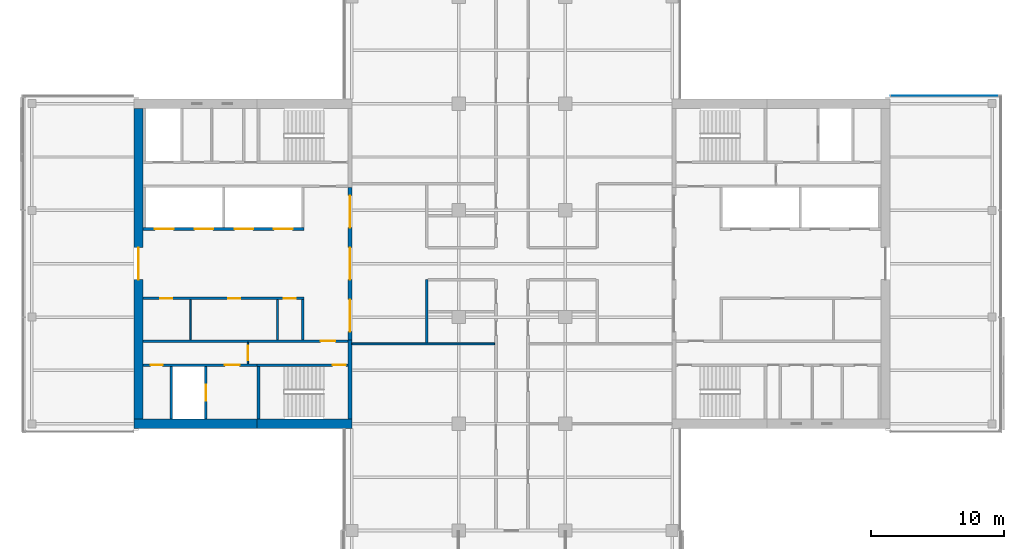
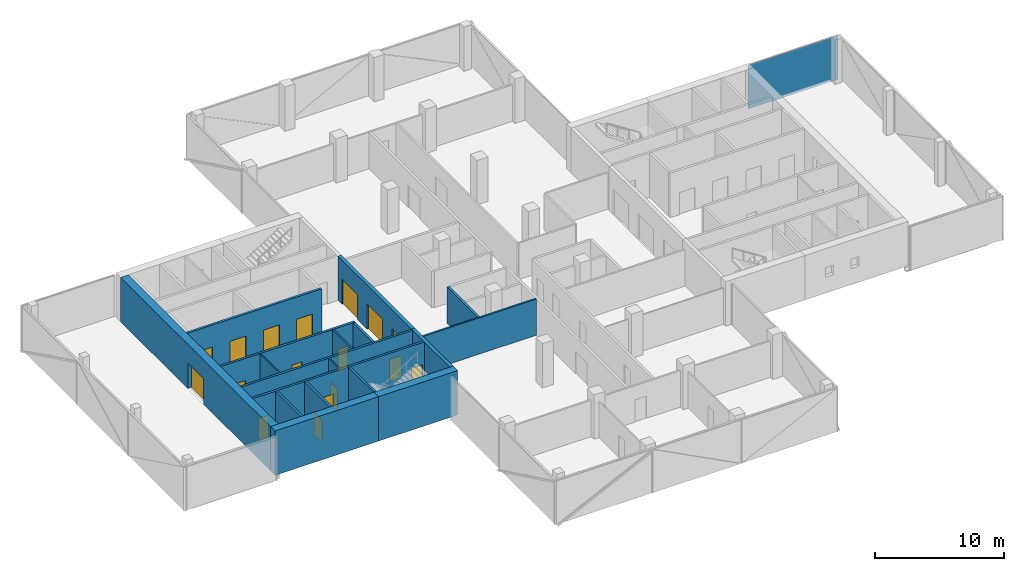
# One storey, part 13 of 22: 19 walls, 17 doors, 1 plate, 17 openings, 1 element without a shape of its own.
"""IFC4 building model written with IfcOpenShell, lengths in metres."""

from ifc_helpers import new_model, si_unit, direction, frame, frame_2d, origin, place, context, subcontext, project, spatial, polyline, rectangle, outline, extrude, material, layer, layer_set, constituent, constituent_set, type_object, element, fill, aggregate, save


model = new_model("IFC4")

# Units and contexts
model_context = context("Model", 3, precision=1e-05, world=origin(), true_north=direction((0.0, 1.0)))
body_context = subcontext(model_context, "Body", "Model", "MODEL_VIEW")
ifc_project = project(units=[si_unit("LENGTHUNIT", "METRE"), si_unit("AREAUNIT", "SQUARE_METRE"), si_unit("VOLUMEUNIT", "CUBIC_METRE"), si_unit("PLANEANGLEUNIT", "RADIAN"), si_unit("MASSUNIT", "GRAM", prefix="KILO")], contexts=[model_context])

# Site, building, storey
site_placement = place(None, origin())
site = spatial("IfcSite", under=ifc_project, at=site_placement, CompositionType="ELEMENT")
building_placement = place(site_placement, origin())
building = spatial("IfcBuilding", under=site, at=building_placement, Name="Crosswind Convention Tower", CompositionType="ELEMENT")
storey_placement = place(building_placement, frame((0.0, 0.0, 125.300048828125)))
storey = spatial("IfcBuildingStorey", under=building, at=storey_placement, Name="L25", CompositionType="ELEMENT", Elevation=125.300048828125)

# Curtain wall, plate
ifc_material_1 = material(Name="Aluminium unitised curtain wall", Category="aluminium")
curtain_wall_type = type_object("IfcCurtainWallType", Name="CORE END SLOT WALL 160", PredefinedType="USERDEFINED", material=ifc_material_1)
curtain_wall_placement = place(storey_placement, origin())
curtain_wall = element("IfcCurtainWall", 1, at=curtain_wall_placement, inside=storey, type_object=curtain_wall_type, Name="CW6 L25 E-N.1-1 slot", ObjectType="UNITISED", PredefinedType="USERDEFINED")
ifc_material_2 = material(Name="Laminated insulating glass unit", Category="glass")
ifc_layer_1 = layer(ifc_material_2, 0.02587890625)
ifc_layer_set_1 = layer_set([ifc_layer_1], Name="TRIANGULAR GLASS PANEL 26")
plate_type = type_object("IfcPlateType", Name="TRIANGULAR GLASS PANEL 26", PredefinedType="CURTAIN_PANEL", material=ifc_layer_set_1)
plate_placement = place(storey_placement, frame((161.449951171875, 112.60693359375, -0.300048828125), z_axis=(0.0, 0.999999915205, 0.00041181312), x_axis=(-1.0, 0.0, 0.0)))
plate = element("IfcPlate", 2, at=plate_placement, type_object=plate_type, Name="CW6 panel 1.1", PredefinedType="CURTAIN_PANEL", context=body_context, shape_type="SweptSolid", body=[
    extrude(outline(polyline([(0.0, 0.0), (8.050048828125, 0.0), (8.050048828125, 4.149902695641108), (0.0, 4.149902695641108), (0.0, 0.0)])), origin(), (0.0, 0.0, -1.0), 0.02587890625),
])
aggregate(curtain_wall, [plate])

# Wall
ifc_material_3 = material(Name="Concrete blockwork", Category="masonry")
ifc_layer_2 = layer(ifc_material_3, 0.199951171875)
ifc_layer_set_2 = layer_set([ifc_layer_2], Name="COMPARTMENT WALL 200 BLOCKWORK")
wall_type_1 = type_object("IfcWallType", Name="COMPARTMENT WALL 200 BLOCKWORK", PredefinedType="SOLIDWALL", material=ifc_layer_set_2)
wall_1_placement = place(storey_placement, frame((118.60009765625, 94.074951171875, 0.0), z_axis=(0.0, 0.0, 1.0), x_axis=(0.0, 1.0, 0.0)))
element("IfcWall", 3, at=wall_1_placement, inside=storey, type_object=wall_type_1, Name="Compartment wall WT42", PredefinedType="SOLIDWALL", context=body_context, shape_type="SweptSolid", body=[
    extrude(rectangle(XDim=4.72509765625, YDim=0.199951171875, at=frame_2d((2.362548828125, 0.0))), origin(), (0.0, 0.0, 1.0), 3.436279296875),
])

# Wall, opening, door
ifc_material_4 = material(Name="Concrete C60/75", Category="concrete")
ifc_layer_3 = layer(ifc_material_4, 0.699951171875)
ifc_layer_set_3 = layer_set([ifc_layer_3], Name="Concrete C60/75")
wall_type_2 = type_object("IfcWallType", Name="Concrete core wall 700", PredefinedType="SHEAR", material=ifc_layer_set_3)
wall_2_placement = place(storey_placement, frame((97.0, 111.64990234375, 0.0), z_axis=(0.0, 0.0, 1.0), x_axis=(0.0, -1.0, 0.0)))
wall_2 = element("IfcWall", 4, at=wall_2_placement, inside=storey, type_object=wall_type_2, Name="Wall O W L25", PredefinedType="SHEAR", context=body_context, shape_type="SweptSolid", body=[
    extrude(rectangle(XDim=23.2998046875, YDim=0.699951171875, at=frame_2d((11.64990234375, 0.0))), origin(), (0.0, 0.0, 1.0), 4.199951171875),
])
opening_1_placement = place(wall_2_placement, frame((10.449951171875, 0.0, 0.0)))
opening_1 = element("IfcOpeningElement", 5, at=opening_1_placement, cuts=wall_2, Name="Opening D100", PredefinedType="OPENING", context=body_context, shape_type="SweptSolid", body=[
    extrude(rectangle(XDim=2.39990234375, YDim=2.39990234375, at=frame_2d((1.199951171875, 1.199951171875))), frame((0.0, 0.35986328125, 0.0), z_axis=(0.0, -1.0, 0.0), x_axis=(1.0, 0.0, 0.0)), (0.0, 0.0, 1.0), 0.719970703125),
])
ifc_material_5 = material(Name="Steel fire door with glazed vision panels", Category="steel")
door_type_1 = type_object("IfcDoorType", Name="Fire-rated double door 2400x2400", OperationType="DOUBLE_DOOR_SINGLE_SWING", PredefinedType="DOOR", material=ifc_material_5)
door_1_placement = place(opening_1_placement, frame((2.39990234375, 0.0, 0.0), z_axis=(0.0, 0.0, 1.0), x_axis=(-1.0, 0.0, 0.0)))
door_1 = element("IfcDoor", 6, at=door_1_placement, inside=storey, type_object=door_type_1, Name="Lobby outer door L25", ObjectType="D100", OperationType="DOUBLE_DOOR_SINGLE_SWING", OverallHeight=2.39990234375, OverallWidth=2.39990234375, PredefinedType="DOOR", context=body_context, shape_type="SweptSolid", body=[
    extrude(rectangle(XDim=2.39990234375, YDim=2.39990234375, at=frame_2d((1.199951171875, 1.199951171875))), frame((0.0, 0.02490234375, 0.0), z_axis=(0.0, -1.0, 0.0), x_axis=(1.0, 0.0, 0.0)), (0.0, 0.0, 1.0), 0.050048828125),
])
fill(opening_1, door_1)

# Wall, openings, doors
ifc_material_6 = material(Name="Concrete C50/60", Category="concrete")
ifc_layer_4 = layer(ifc_material_6, 0.300048828125)
ifc_layer_set_4 = layer_set([ifc_layer_4], Name="Concrete C50/60")
wall_type_3 = type_object("IfcWallType", Name="Concrete inner core wall 300", PredefinedType="SHEAR", material=ifc_layer_set_4)
wall_3_placement = place(storey_placement, frame((112.85009765625, 105.699951171875, 0.0), z_axis=(0.0, 0.0, 1.0), x_axis=(0.0, -1.0, 0.0)))
wall_3 = element("IfcWall", 7, at=wall_3_placement, inside=storey, type_object=wall_type_3, Name="Wall SCR W L25", PredefinedType="SHEAR", context=body_context, shape_type="SweptSolid", body=[
    extrude(rectangle(XDim=11.39990234375, YDim=0.300048828125, at=frame_2d((5.699951171875, 0.0))), origin(), (0.0, 0.0, 1.0), 4.199951171875),
])
opening_2_placement = place(wall_3_placement, frame((0.60009765625, 0.0, 0.0)))
opening_2 = element("IfcOpeningElement", 8, at=opening_2_placement, cuts=wall_3, Name="Opening D100", PredefinedType="OPENING", context=body_context, shape_type="SweptSolid", body=[
    extrude(rectangle(XDim=2.39990234375, YDim=2.39990234375, at=frame_2d((1.199951171875, 1.199951171875))), frame((0.0, 0.159912109375, 0.0), z_axis=(0.0, -1.0, 0.0), x_axis=(1.0, 0.0, 0.0)), (0.0, 0.0, 1.0), 0.320068359375),
])
opening_3_placement = place(wall_3_placement, frame((4.5, 0.0, 0.0)))
opening_3 = element("IfcOpeningElement", 9, at=opening_3_placement, cuts=wall_3, Name="Opening D100", PredefinedType="OPENING", context=body_context, shape_type="SweptSolid", body=[
    extrude(rectangle(XDim=2.39990234375, YDim=2.39990234375, at=frame_2d((1.199951171875, 1.199951171875))), frame((0.0, 0.159912109375, 0.0), z_axis=(0.0, -1.0, 0.0), x_axis=(1.0, 0.0, 0.0)), (0.0, 0.0, 1.0), 0.320068359375),
])
opening_4_placement = place(wall_3_placement, frame((8.39990234375, 0.0, 0.0)))
opening_4 = element("IfcOpeningElement", 10, at=opening_4_placement, cuts=wall_3, Name="Opening D100", PredefinedType="OPENING", context=body_context, shape_type="SweptSolid", body=[
    extrude(rectangle(XDim=2.39990234375, YDim=2.39990234375, at=frame_2d((1.199951171875, 1.199951171875))), frame((0.0, 0.159912109375, 0.0), z_axis=(0.0, -1.0, 0.0), x_axis=(1.0, 0.0, 0.0)), (0.0, 0.0, 1.0), 0.320068359375),
])
door_2_placement = place(opening_2_placement, origin())
door_2 = element("IfcDoor", 11, at=door_2_placement, inside=storey, type_object=door_type_1, Name="Lobby door 1 L25", ObjectType="D100", OperationType="DOUBLE_DOOR_SINGLE_SWING", OverallHeight=2.39990234375, OverallWidth=2.39990234375, PredefinedType="DOOR", context=body_context, shape_type="SweptSolid", body=[
    extrude(rectangle(XDim=2.39990234375, YDim=2.39990234375, at=frame_2d((1.199951171875, 1.199951171875))), frame((0.0, 0.02490234375, 0.0), z_axis=(0.0, -1.0, 0.0), x_axis=(1.0, 0.0, 0.0)), (0.0, 0.0, 1.0), 0.050048828125),
])
fill(opening_2, door_2)
door_3_placement = place(opening_3_placement, origin())
door_3 = element("IfcDoor", 12, at=door_3_placement, inside=storey, type_object=door_type_1, Name="Lobby door 2 L25", ObjectType="D100", OperationType="DOUBLE_DOOR_SINGLE_SWING", OverallHeight=2.39990234375, OverallWidth=2.39990234375, PredefinedType="DOOR", context=body_context, shape_type="SweptSolid", body=[
    extrude(rectangle(XDim=2.39990234375, YDim=2.39990234375, at=frame_2d((1.199951171875, 1.199951171875))), frame((0.0, 0.02490234375, 0.0), z_axis=(0.0, -1.0, 0.0), x_axis=(1.0, 0.0, 0.0)), (0.0, 0.0, 1.0), 0.050048828125),
])
fill(opening_3, door_3)
door_4_placement = place(opening_4_placement, origin())
door_4 = element("IfcDoor", 13, at=door_4_placement, inside=storey, type_object=door_type_1, Name="Lobby door 3 L25", ObjectType="D100", OperationType="DOUBLE_DOOR_SINGLE_SWING", OverallHeight=2.39990234375, OverallWidth=2.39990234375, PredefinedType="DOOR", context=body_context, shape_type="SweptSolid", body=[
    extrude(rectangle(XDim=2.39990234375, YDim=2.39990234375, at=frame_2d((1.199951171875, 1.199951171875))), frame((0.0, 0.02490234375, 0.0), z_axis=(0.0, -1.0, 0.0), x_axis=(1.0, 0.0, 0.0)), (0.0, 0.0, 1.0), 0.050048828125),
])
fill(opening_4, door_4)

# Walls
wall_4_placement = place(storey_placement, frame((112.85009765625, 94.300048828125, 0.0), z_axis=(0.0, 0.0, 1.0), x_axis=(0.0, -1.0, 0.0)))
element("IfcWall", 14, at=wall_4_placement, inside=storey, type_object=wall_type_3, Name="Wall EP W L25", PredefinedType="SHEAR", context=body_context, shape_type="SweptSolid", body=[
    extrude(rectangle(XDim=5.949951171875, YDim=0.300048828125, at=frame_2d((2.97509765625, 0.0))), origin(), (0.0, 0.0, 1.0), 4.199951171875),
])
ifc_layer_5 = layer(ifc_material_6, 0.199951171875)
ifc_layer_set_5 = layer_set([ifc_layer_5], Name="Concrete C50/60")
wall_type_4 = type_object("IfcWallType", Name="Concrete shaft and stair wall 200", PredefinedType="SHEAR", material=ifc_layer_set_5)
wall_5_placement = place(storey_placement, frame((109.300048828125, 97.300048828125, 0.0), z_axis=(0.0, 0.0, 1.0), x_axis=(0.0, -1.0, 0.0)))
element("IfcWall", 15, at=wall_5_placement, inside=storey, type_object=wall_type_4, Name="Wall RPEND W L25", PredefinedType="SHEAR", context=body_context, shape_type="SweptSolid", body=[
    extrude(rectangle(XDim=3.0, YDim=0.199951171875, at=frame_2d((1.5, 0.0))), origin(), (0.0, 0.0, 1.0), 4.199951171875),
])

# Wall, openings, doors
wall_6_placement = place(storey_placement, frame((109.39990234375, 97.39990234375, 0.0), z_axis=(0.0, 0.0, 1.0), x_axis=(-1.0, 0.0, 0.0)))
wall_6 = element("IfcWall", 16, at=wall_6_placement, inside=storey, type_object=wall_type_4, Name="Wall RPFRONT W L25", PredefinedType="SHEAR", context=body_context, shape_type="SweptSolid", body=[
    extrude(rectangle(XDim=12.0498046875, YDim=0.199951171875, at=frame_2d((6.02490234375, 0.0))), origin(), (0.0, 0.0, 1.0), 4.199951171875),
])
opening_5_placement = place(wall_6_placement, frame((0.607421875, 0.0, 0.0)))
opening_5 = element("IfcOpeningElement", 17, at=opening_5_placement, cuts=wall_6, Name="Opening D106", PredefinedType="OPENING", context=body_context, shape_type="SweptSolid", body=[
    extrude(rectangle(XDim=0.89990234375, YDim=2.10009765625, at=frame_2d((0.449951171875, 1.050048828125))), frame((0.0, 0.10986328125, 0.0), z_axis=(0.0, -1.0, 0.0), x_axis=(1.0, 0.0, 0.0)), (0.0, 0.0, 1.0), 0.219970703125),
])
opening_6_placement = place(wall_6_placement, frame((4.7861328125, 0.0, 0.0)))
opening_6 = element("IfcOpeningElement", 18, at=opening_6_placement, cuts=wall_6, Name="Opening D106", PredefinedType="OPENING", context=body_context, shape_type="SweptSolid", body=[
    extrude(rectangle(XDim=0.89990234375, YDim=2.10009765625, at=frame_2d((0.449951171875, 1.050048828125))), frame((0.0, 0.10986328125, 0.0), z_axis=(0.0, -1.0, 0.0), x_axis=(1.0, 0.0, 0.0)), (0.0, 0.0, 1.0), 0.219970703125),
])
opening_7_placement = place(wall_6_placement, frame((9.853759765625, 0.0, 0.0)))
opening_7 = element("IfcOpeningElement", 19, at=opening_7_placement, cuts=wall_6, Name="Opening D106", PredefinedType="OPENING", context=body_context, shape_type="SweptSolid", body=[
    extrude(rectangle(XDim=0.89990234375, YDim=2.10009765625, at=frame_2d((0.449951171875, 1.050048828125))), frame((0.0, 0.10986328125, 0.0), z_axis=(0.0, -1.0, 0.0), x_axis=(1.0, 0.0, 0.0)), (0.0, 0.0, 1.0), 0.219970703125),
])
ifc_material_7 = material(Name="Timber door", Category="wood")
door_type_2 = type_object("IfcDoorType", Name="Single leaf door 900x2100", OperationType="NOTDEFINED", PredefinedType="DOOR", material=ifc_material_7)
door_5_placement = place(opening_5_placement, origin())
door_5 = element("IfcDoor", 20, at=door_5_placement, inside=storey, type_object=door_type_2, Name="Door to telecoms room L25", ObjectType="D106", OperationType="SINGLE_SWING_RIGHT", OverallHeight=2.10009765625, OverallWidth=0.89990234375, PredefinedType="DOOR", context=body_context, shape_type="SweptSolid", body=[
    extrude(rectangle(XDim=0.89990234375, YDim=2.10009765625, at=frame_2d((0.449951171875, 1.050048828125))), frame((0.0, 0.02490234375, 0.0), z_axis=(0.0, -1.0, 0.0), x_axis=(1.0, 0.0, 0.0)), (0.0, 0.0, 1.0), 0.050048828125),
])
fill(opening_5, door_5)
door_6_placement = place(opening_6_placement, origin())
door_6 = element("IfcDoor", 21, at=door_6_placement, inside=storey, type_object=door_type_2, Name="Door to storeroom L25", ObjectType="D106", OperationType="SINGLE_SWING_RIGHT", OverallHeight=2.10009765625, OverallWidth=0.89990234375, PredefinedType="DOOR", context=body_context, shape_type="SweptSolid", body=[
    extrude(rectangle(XDim=0.89990234375, YDim=2.10009765625, at=frame_2d((0.449951171875, 1.050048828125))), frame((0.0, 0.02490234375, 0.0), z_axis=(0.0, -1.0, 0.0), x_axis=(1.0, 0.0, 0.0)), (0.0, 0.0, 1.0), 0.050048828125),
])
fill(opening_6, door_6)
door_7_placement = place(opening_7_placement, origin())
door_7 = element("IfcDoor", 22, at=door_7_placement, inside=storey, type_object=door_type_2, Name="Door to tenant services room L25", ObjectType="D106", OperationType="SINGLE_SWING_RIGHT", OverallHeight=2.10009765625, OverallWidth=0.89990234375, PredefinedType="DOOR", context=body_context, shape_type="SweptSolid", body=[
    extrude(rectangle(XDim=0.89990234375, YDim=2.10009765625, at=frame_2d((0.449951171875, 1.050048828125))), frame((0.0, 0.02490234375, 0.0), z_axis=(0.0, -1.0, 0.0), x_axis=(1.0, 0.0, 0.0)), (0.0, 0.0, 1.0), 0.050048828125),
])
fill(opening_7, door_7)

wall_7_placement = place(storey_placement, frame((109.39990234375, 102.60009765625, 0.0), z_axis=(0.0, 0.0, 1.0), x_axis=(-1.0, 0.0, 0.0)))
wall_7 = element("IfcWall", 23, at=wall_7_placement, inside=storey, type_object=wall_type_4, Name="Wall RMFRONT W L25", PredefinedType="SHEAR", context=body_context, shape_type="SweptSolid", body=[
    extrude(rectangle(XDim=12.0498046875, YDim=0.199951171875, at=frame_2d((6.02490234375, 0.0))), origin(), (0.0, 0.0, 1.0), 4.199951171875),
])
opening_8_placement = place(wall_7_placement, frame((0.85009765625, 0.0, 0.0)))
opening_8 = element("IfcOpeningElement", 24, at=opening_8_placement, cuts=wall_7, Name="Opening LD2", PredefinedType="OPENING", context=body_context, shape_type="SweptSolid", body=[
    extrude(rectangle(XDim=1.39990234375, YDim=2.10009765625, at=frame_2d((0.699951171875, 1.050048828125))), frame((0.0, 0.10986328125, 0.0), z_axis=(0.0, -1.0, 0.0), x_axis=(1.0, 0.0, 0.0)), (0.0, 0.0, 1.0), 0.219970703125),
])
opening_9_placement = place(wall_7_placement, frame((3.800048828125, 0.0, 0.0)))
opening_9 = element("IfcOpeningElement", 25, at=opening_9_placement, cuts=wall_7, Name="Opening LD2", PredefinedType="OPENING", context=body_context, shape_type="SweptSolid", body=[
    extrude(rectangle(XDim=1.39990234375, YDim=2.10009765625, at=frame_2d((0.699951171875, 1.050048828125))), frame((0.0, 0.10986328125, 0.0), z_axis=(0.0, -1.0, 0.0), x_axis=(1.0, 0.0, 0.0)), (0.0, 0.0, 1.0), 0.219970703125),
])
opening_10_placement = place(wall_7_placement, frame((6.800048828125, 0.0, 0.0)))
opening_10 = element("IfcOpeningElement", 26, at=opening_10_placement, cuts=wall_7, Name="Opening LD2", PredefinedType="OPENING", context=body_context, shape_type="SweptSolid", body=[
    extrude(rectangle(XDim=1.39990234375, YDim=2.10009765625, at=frame_2d((0.699951171875, 1.050048828125))), frame((0.0, 0.10986328125, 0.0), z_axis=(0.0, -1.0, 0.0), x_axis=(1.0, 0.0, 0.0)), (0.0, 0.0, 1.0), 0.219970703125),
])
opening_11_placement = place(wall_7_placement, frame((9.77490234375, 0.0, 0.0)))
opening_11 = element("IfcOpeningElement", 27, at=opening_11_placement, cuts=wall_7, Name="Opening LD2", PredefinedType="OPENING", context=body_context, shape_type="SweptSolid", body=[
    extrude(rectangle(XDim=1.39990234375, YDim=2.10009765625, at=frame_2d((0.699951171875, 1.050048828125))), frame((0.0, 0.10986328125, 0.0), z_axis=(0.0, -1.0, 0.0), x_axis=(1.0, 0.0, 0.0)), (0.0, 0.0, 1.0), 0.219970703125),
])
ifc_material_8 = material(Name="Stainless steel", Category="steel")
door_type_3 = type_object("IfcDoorType", Name="Lift landing door 1400x2100", OperationType="DOUBLE_DOOR_SLIDING", PredefinedType="DOOR", material=ifc_material_8)
door_8_placement = place(opening_8_placement, origin())
door_8 = element("IfcDoor", 28, at=door_8_placement, inside=storey, type_object=door_type_3, Name="Landing door A5 L25", ObjectType="LD2", OperationType="DOUBLE_DOOR_SLIDING", OverallHeight=2.10009765625, OverallWidth=1.39990234375, PredefinedType="DOOR", context=body_context, shape_type="SweptSolid", body=[
    extrude(rectangle(XDim=1.39990234375, YDim=2.10009765625, at=frame_2d((0.699951171875, 1.050048828125))), frame((0.0, 0.02490234375, 0.0), z_axis=(0.0, -1.0, 0.0), x_axis=(1.0, 0.0, 0.0)), (0.0, 0.0, 1.0), 0.050048828125),
])
fill(opening_8, door_8)
door_9_placement = place(opening_9_placement, origin())
door_9 = element("IfcDoor", 29, at=door_9_placement, inside=storey, type_object=door_type_3, Name="Landing door A6 L25", ObjectType="LD2", OperationType="DOUBLE_DOOR_SLIDING", OverallHeight=2.10009765625, OverallWidth=1.39990234375, PredefinedType="DOOR", context=body_context, shape_type="SweptSolid", body=[
    extrude(rectangle(XDim=1.39990234375, YDim=2.10009765625, at=frame_2d((0.699951171875, 1.050048828125))), frame((0.0, 0.02490234375, 0.0), z_axis=(0.0, -1.0, 0.0), x_axis=(1.0, 0.0, 0.0)), (0.0, 0.0, 1.0), 0.050048828125),
])
fill(opening_9, door_9)
door_10_placement = place(opening_10_placement, origin())
door_10 = element("IfcDoor", 30, at=door_10_placement, inside=storey, type_object=door_type_3, Name="Landing door A7 L25", ObjectType="LD2", OperationType="DOUBLE_DOOR_SLIDING", OverallHeight=2.10009765625, OverallWidth=1.39990234375, PredefinedType="DOOR", context=body_context, shape_type="SweptSolid", body=[
    extrude(rectangle(XDim=1.39990234375, YDim=2.10009765625, at=frame_2d((0.699951171875, 1.050048828125))), frame((0.0, 0.02490234375, 0.0), z_axis=(0.0, -1.0, 0.0), x_axis=(1.0, 0.0, 0.0)), (0.0, 0.0, 1.0), 0.050048828125),
])
fill(opening_10, door_10)
door_11_placement = place(opening_11_placement, origin())
door_11 = element("IfcDoor", 31, at=door_11_placement, inside=storey, type_object=door_type_3, Name="Landing door A8 L25", ObjectType="LD2", OperationType="DOUBLE_DOOR_SLIDING", OverallHeight=2.10009765625, OverallWidth=1.39990234375, PredefinedType="DOOR", context=body_context, shape_type="SweptSolid", body=[
    extrude(rectangle(XDim=1.39990234375, YDim=2.10009765625, at=frame_2d((0.699951171875, 1.050048828125))), frame((0.0, 0.02490234375, 0.0), z_axis=(0.0, -1.0, 0.0), x_axis=(1.0, 0.0, 0.0)), (0.0, 0.0, 1.0), 0.050048828125),
])
fill(opening_11, door_11)

# Wall, opening, door
wall_8_placement = place(storey_placement, frame((112.699951171875, 94.199951171875, 0.0), z_axis=(0.0, 0.0, 1.0), x_axis=(-1.0, 0.0, 0.0)))
wall_8 = element("IfcWall", 32, at=wall_8_placement, inside=storey, type_object=wall_type_4, Name="Wall HP W L25", PredefinedType="SHEAR", context=body_context, shape_type="SweptSolid", body=[
    extrude(rectangle(XDim=15.349853515625, YDim=0.199951171875, at=frame_2d((7.6748046875, 0.0))), origin(), (0.0, 0.0, 1.0), 4.199951171875),
])
opening_12_placement = place(wall_8_placement, frame((0.949951171875, 0.0, 0.0)))
opening_12 = element("IfcOpeningElement", 33, at=opening_12_placement, cuts=wall_8, Name="Opening D104", PredefinedType="OPENING", context=body_context, shape_type="SweptSolid", body=[
    extrude(rectangle(XDim=1.10009765625, YDim=2.10009765625, at=frame_2d((0.550048828125, 1.050048828125))), frame((0.0, 0.10986328125, 0.0), z_axis=(0.0, -1.0, 0.0), x_axis=(1.0, 0.0, 0.0)), (0.0, 0.0, 1.0), 0.219970703125),
])
ifc_material_9 = material(Name="Steel fire door", Category="steel")
door_type_4 = type_object("IfcDoorType", Name="Fire-rated single door 1100x2100", OperationType="NOTDEFINED", PredefinedType="DOOR", material=ifc_material_9)
door_12_placement = place(opening_12_placement, origin())
door_12 = element("IfcDoor", 34, at=door_12_placement, inside=storey, type_object=door_type_4, Name="Corridor door L25", ObjectType="D104", OperationType="SINGLE_SWING_LEFT", OverallHeight=2.10009765625, OverallWidth=1.10009765625, PredefinedType="DOOR", context=body_context, shape_type="SweptSolid", body=[
    extrude(rectangle(XDim=1.10009765625, YDim=2.10009765625, at=frame_2d((0.550048828125, 1.050048828125))), frame((0.0, 0.02490234375, 0.0), z_axis=(0.0, -1.0, 0.0), x_axis=(1.0, 0.0, 0.0)), (0.0, 0.0, 1.0), 0.050048828125),
])
fill(opening_12, door_12)

# Wall
wall_9_placement = place(storey_placement, frame((106.0, 92.300048828125, 0.0), z_axis=(0.0, 0.0, 1.0), x_axis=(0.0, -1.0, 0.0)))
element("IfcWall", 35, at=wall_9_placement, inside=storey, type_object=wall_type_4, Name="Wall PSE W L25", PredefinedType="SHEAR", context=body_context, shape_type="SweptSolid", body=[
    extrude(rectangle(XDim=3.949951171875, YDim=0.199951171875, at=frame_2d((1.97509765625, 0.0))), origin(), (0.0, 0.0, 1.0), 4.199951171875),
])

# Wall, opening, door
wall_10_placement = place(storey_placement, frame((102.050048828125, 92.300048828125, 0.0), z_axis=(0.0, 0.0, 1.0), x_axis=(0.0, -1.0, 0.0)))
wall_10 = element("IfcWall", 36, at=wall_10_placement, inside=storey, type_object=wall_type_4, Name="Wall PFLW W L25", PredefinedType="SHEAR", context=body_context, shape_type="SweptSolid", body=[
    extrude(rectangle(XDim=3.949951171875, YDim=0.199951171875, at=frame_2d((1.97509765625, 0.0))), origin(), (0.0, 0.0, 1.0), 4.199951171875),
])
opening_13_placement = place(wall_10_placement, frame((1.375, 0.0, 0.0)))
opening_13 = element("IfcOpeningElement", 37, at=opening_13_placement, cuts=wall_10, Name="Opening LD1", PredefinedType="OPENING", context=body_context, shape_type="SweptSolid", body=[
    extrude(rectangle(XDim=1.199951171875, YDim=2.10009765625, at=frame_2d((0.60009765625, 1.050048828125))), frame((0.0, 0.10986328125, 0.0), z_axis=(0.0, -1.0, 0.0), x_axis=(1.0, 0.0, 0.0)), (0.0, 0.0, 1.0), 0.219970703125),
])
door_type_5 = type_object("IfcDoorType", Name="Lift landing door 1200x2100", OperationType="DOUBLE_DOOR_SLIDING", PredefinedType="DOOR", material=ifc_material_8)
door_13_placement = place(opening_13_placement, origin())
door_13 = element("IfcDoor", 38, at=door_13_placement, inside=storey, type_object=door_type_5, Name="Landing door FF2 L25", ObjectType="LD1", OperationType="DOUBLE_DOOR_SLIDING", OverallHeight=2.10009765625, OverallWidth=1.199951171875, PredefinedType="DOOR", context=body_context, shape_type="SweptSolid", body=[
    extrude(rectangle(XDim=1.199951171875, YDim=2.10009765625, at=frame_2d((0.60009765625, 1.050048828125))), frame((0.0, 0.02490234375, 0.0), z_axis=(0.0, -1.0, 0.0), x_axis=(1.0, 0.0, 0.0)), (0.0, 0.0, 1.0), 0.050048828125),
])
fill(opening_13, door_13)

# Wall
wall_11_placement = place(storey_placement, frame((99.449951171875, 92.300048828125, 0.0), z_axis=(0.0, 0.0, 1.0), x_axis=(0.0, -1.0, 0.0)))
element("IfcWall", 39, at=wall_11_placement, inside=storey, type_object=wall_type_4, Name="Wall PFSE W L25", PredefinedType="SHEAR", context=body_context, shape_type="SweptSolid", body=[
    extrude(rectangle(XDim=3.949951171875, YDim=0.199951171875, at=frame_2d((1.97509765625, 0.0))), origin(), (0.0, 0.0, 1.0), 4.199951171875),
])

# Wall, opening, door
wall_12_placement = place(storey_placement, frame((112.699951171875, 92.39990234375, 0.0), z_axis=(0.0, 0.0, 1.0), x_axis=(-1.0, 0.0, 0.0)))
wall_12 = element("IfcWall", 40, at=wall_12_placement, inside=storey, type_object=wall_type_4, Name="Wall PCW W L25", PredefinedType="SHEAR", context=body_context, shape_type="SweptSolid", body=[
    extrude(rectangle(XDim=6.800048828125, YDim=0.199951171875, at=frame_2d((3.39990234375, 0.0))), origin(), (0.0, 0.0, 1.0), 4.199951171875),
])
opening_14_placement = place(wall_12_placement, frame((0.14990234375, 0.0, 0.0)))
opening_14 = element("IfcOpeningElement", 41, at=opening_14_placement, cuts=wall_12, Name="Opening D103", PredefinedType="OPENING", context=body_context, shape_type="SweptSolid", body=[
    extrude(rectangle(XDim=1.0, YDim=2.10009765625, at=frame_2d((0.5, 1.050048828125))), frame((0.0, 0.10986328125, 0.0), z_axis=(0.0, -1.0, 0.0), x_axis=(1.0, 0.0, 0.0)), (0.0, 0.0, 1.0), 0.219970703125),
])
door_type_6 = type_object("IfcDoorType", Name="Fire-rated single door 1000x2100", OperationType="NOTDEFINED", PredefinedType="DOOR", material=ifc_material_9)
door_14_placement = place(opening_14_placement, origin())
door_14 = element("IfcDoor", 42, at=door_14_placement, inside=storey, type_object=door_type_6, Name="Stair ST3 door L25", ObjectType="D103", OperationType="SINGLE_SWING_LEFT", OverallHeight=2.10009765625, OverallWidth=1.0, PredefinedType="DOOR", context=body_context, shape_type="SweptSolid", body=[
    extrude(rectangle(XDim=1.0, YDim=2.10009765625, at=frame_2d((0.5, 1.050048828125))), frame((0.0, 0.02490234375, 0.0), z_axis=(0.0, -1.0, 0.0), x_axis=(1.0, 0.0, 0.0)), (0.0, 0.0, 1.0), 0.050048828125),
])
fill(opening_14, door_14)

# Wall, openings, doors
wall_13_placement = place(storey_placement, frame((105.89990234375, 92.39990234375, 0.0), z_axis=(0.0, 0.0, 1.0), x_axis=(-1.0, 0.0, 0.0)))
wall_13 = element("IfcWall", 43, at=wall_13_placement, inside=storey, type_object=wall_type_4, Name="Wall PCX W L25", PredefinedType="SHEAR", context=body_context, shape_type="SweptSolid", body=[
    extrude(rectangle(XDim=8.5498046875, YDim=0.199951171875, at=frame_2d((4.27490234375, 0.0))), origin(), (0.0, 0.0, 1.0), 4.199951171875),
])
opening_15_placement = place(wall_13_placement, frame((1.324951171875, 0.0, 0.0)))
opening_15 = element("IfcOpeningElement", 44, at=opening_15_placement, cuts=wall_13, Name="Opening D104", PredefinedType="OPENING", context=body_context, shape_type="SweptSolid", body=[
    extrude(rectangle(XDim=1.10009765625, YDim=2.10009765625, at=frame_2d((0.550048828125, 1.050048828125))), frame((0.0, 0.10986328125, 0.0), z_axis=(0.0, -1.0, 0.0), x_axis=(1.0, 0.0, 0.0)), (0.0, 0.0, 1.0), 0.219970703125),
])
opening_16_placement = place(wall_13_placement, frame((7.10009765625, 0.0, 0.0)))
opening_16 = element("IfcOpeningElement", 45, at=opening_16_placement, cuts=wall_13, Name="Opening D106", PredefinedType="OPENING", context=body_context, shape_type="SweptSolid", body=[
    extrude(rectangle(XDim=0.89990234375, YDim=2.10009765625, at=frame_2d((0.449951171875, 1.050048828125))), frame((0.0, 0.10986328125, 0.0), z_axis=(0.0, -1.0, 0.0), x_axis=(1.0, 0.0, 0.0)), (0.0, 0.0, 1.0), 0.219970703125),
])
door_15_placement = place(opening_15_placement, origin())
door_15 = element("IfcDoor", 46, at=door_15_placement, inside=storey, type_object=door_type_4, Name="Fire-fighting lobby FF2 door L25", ObjectType="D104", OperationType="SINGLE_SWING_RIGHT", OverallHeight=2.10009765625, OverallWidth=1.10009765625, PredefinedType="DOOR", context=body_context, shape_type="SweptSolid", body=[
    extrude(rectangle(XDim=1.10009765625, YDim=2.10009765625, at=frame_2d((0.550048828125, 1.050048828125))), frame((0.0, 0.02490234375, 0.0), z_axis=(0.0, -1.0, 0.0), x_axis=(1.0, 0.0, 0.0)), (0.0, 0.0, 1.0), 0.050048828125),
])
fill(opening_15, door_15)
door_16_placement = place(opening_16_placement, origin())
door_16 = element("IfcDoor", 47, at=door_16_placement, inside=storey, type_object=door_type_2, Name="Door to electrical room L25", ObjectType="D106", OperationType="SINGLE_SWING_RIGHT", OverallHeight=2.10009765625, OverallWidth=0.89990234375, PredefinedType="DOOR", context=body_context, shape_type="SweptSolid", body=[
    extrude(rectangle(XDim=0.89990234375, YDim=2.10009765625, at=frame_2d((0.449951171875, 1.050048828125))), frame((0.0, 0.02490234375, 0.0), z_axis=(0.0, -1.0, 0.0), x_axis=(1.0, 0.0, 0.0)), (0.0, 0.0, 1.0), 0.050048828125),
])
fill(opening_16, door_16)

# Walls
ifc_material_10 = material(Name="Gypsum plasterboard partition", Category="gypsum")
ifc_layer_6 = layer(ifc_material_10, 0.125)
ifc_layer_set_6 = layer_set([ifc_layer_6], Name="Drywall partition wall 125")
wall_type_5 = type_object("IfcWallType", Name="Drywall partition wall 125", PredefinedType="PARTITIONING", material=ifc_layer_set_6)
for number, where, z_axis, x_axis, name in (
    (48, (107.422607421875, 97.300048828125, 0.0), (0.0, 0.0, 1.0), (0.0, -1.0, 0.0), "Wall RPP1 W L25"),
    (49, (100.905029296875, 97.300048828125, 0.0), (0.0, 0.0, 1.0), (0.0, -1.0, 0.0), "Wall RPP2 W L25"),
):
    element("IfcWall", number, at=place(storey_placement, frame(where, z_axis=z_axis, x_axis=x_axis)), inside=storey, type_object=wall_type_5, Name=name, PredefinedType="PARTITIONING", context=body_context, shape_type="SweptSolid", body=[
        extrude(rectangle(XDim=3.0, YDim=0.125, at=frame_2d((1.5, 0.0))), origin(), (0.0, 0.0, 1.0), 4.199951171875),
    ])

# Wall, opening, door
wall_14_placement = place(storey_placement, frame((105.199951171875, 94.10009765625, 0.0), z_axis=(0.0, 0.0, 1.0), x_axis=(0.0, -1.0, 0.0)))
wall_14 = element("IfcWall", 50, at=wall_14_placement, inside=storey, type_object=wall_type_5, Name="Wall PXC1 W L25", PredefinedType="PARTITIONING", context=body_context, shape_type="SweptSolid", body=[
    extrude(rectangle(XDim=1.60009765625, YDim=0.125, at=frame_2d((0.800048828125, 0.0))), origin(), (0.0, 0.0, 1.0), 4.199951171875),
])
opening_17_placement = place(wall_14_placement, frame((0.25, 0.0, 0.0)))
opening_17 = element("IfcOpeningElement", 51, at=opening_17_placement, cuts=wall_14, Name="Opening D104", PredefinedType="OPENING", context=body_context, shape_type="SweptSolid", body=[
    extrude(rectangle(XDim=1.10009765625, YDim=2.10009765625, at=frame_2d((0.550048828125, 1.050048828125))), frame((0.0, 0.072509765625, 0.0), z_axis=(0.0, -1.0, 0.0), x_axis=(1.0, 0.0, 0.0)), (0.0, 0.0, 1.0), 0.14501953125),
])
door_17_placement = place(opening_17_placement, origin())
door_17 = element("IfcDoor", 52, at=door_17_placement, inside=storey, type_object=door_type_4, Name="Corridor smoke door L25", ObjectType="D104", OperationType="SINGLE_SWING_RIGHT", OverallHeight=2.10009765625, OverallWidth=1.10009765625, PredefinedType="DOOR", context=body_context, shape_type="SweptSolid", body=[
    extrude(rectangle(XDim=1.10009765625, YDim=2.10009765625, at=frame_2d((0.550048828125, 1.050048828125))), frame((0.0, 0.02490234375, 0.0), z_axis=(0.0, -1.0, 0.0), x_axis=(1.0, 0.0, 0.0)), (0.0, 0.0, 1.0), 0.050048828125),
])
fill(opening_17, door_17)

# Walls
ifc_material_11 = material(Name="Fire-board partition with mineral wool", Category="gypsum")
ifc_layer_7 = layer(ifc_material_11, 0.14990234375)
ifc_layer_set_7 = layer_set([ifc_layer_7], Name="TENANCY WALL 150 TWO-HOUR BOARD")
wall_type_6 = type_object("IfcWallType", Name="TENANCY WALL 150 TWO-HOUR BOARD", PredefinedType="PARTITIONING", material=ifc_layer_set_7)
wall_15_placement = place(storey_placement, frame((113.0, 94.0, 0.0), z_axis=(0.0, 0.0, 1.0), x_axis=(1.0, 0.0, 0.0)))
element("IfcWall", 53, at=wall_15_placement, inside=storey, type_object=wall_type_6, Name="Tenancy wall WT41", PredefinedType="PARTITIONING", context=body_context, shape_type="SweptSolid", body=[
    extrude(rectangle(XDim=10.699951171875, YDim=0.14990234375, at=frame_2d((5.35009765625, 0.0))), origin(), (0.0, 0.0, 1.0), 3.436279296875),
])
ifc_constituent_1 = constituent(ifc_material_4, Name="Structure")
ifc_material_12 = material(Name="Terracotta rainscreen", Category="ceramic")
ifc_constituent_2 = constituent(ifc_material_12, Name="Facing")
ifc_constituent_set = constituent_set(constituents=[ifc_constituent_1, ifc_constituent_2], Name="Concrete C60/75, Terracotta rainscreen")
wall_type_7 = type_object("IfcWallType", Name="Terracotta rainscreen on concrete core wall 700", PredefinedType="SHEAR", material=ifc_constituent_set)
wall_16_placement = place(storey_placement, frame((113.0, 88.0, 0.0), z_axis=(0.0, 0.0, 1.0), x_axis=(-1.0, 0.0, 0.0)))
element("IfcWall", 54, at=wall_16_placement, inside=storey, type_object=wall_type_7, Name="Wall N1 W L25", PredefinedType="SHEAR", context=body_context, shape_type="SweptSolid", body=[
    extrude(rectangle(XDim=7.10009765625, YDim=0.699951171875, at=frame_2d((3.550048828125, 0.0))), origin(), (0.0, 0.0, 1.0), 4.199951171875),
])
wall_17_placement = place(storey_placement, frame((105.89990234375, 88.0, 0.0), z_axis=(0.0, 0.0, 1.0), x_axis=(-1.0, 0.0, 0.0)))
element("IfcWall", 55, at=wall_17_placement, inside=storey, type_object=wall_type_7, Name="Wall N2 W L25", PredefinedType="SHEAR", context=body_context, shape_type="SweptSolid", body=[
    extrude(rectangle(XDim=9.25, YDim=0.699951171875, at=frame_2d((4.625, 0.0))), origin(), (0.0, 0.0, 1.0), 4.199951171875),
])

save(model, "model.ifc")
